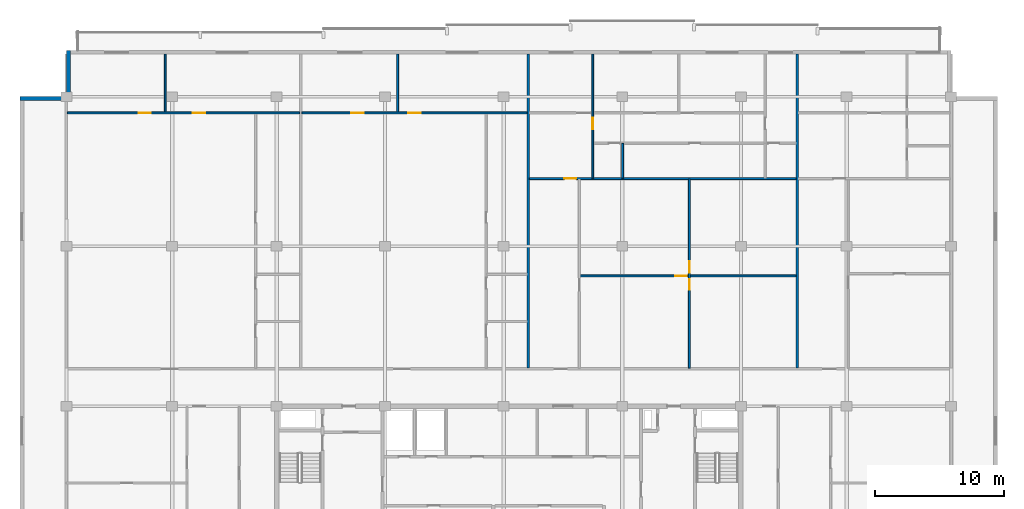
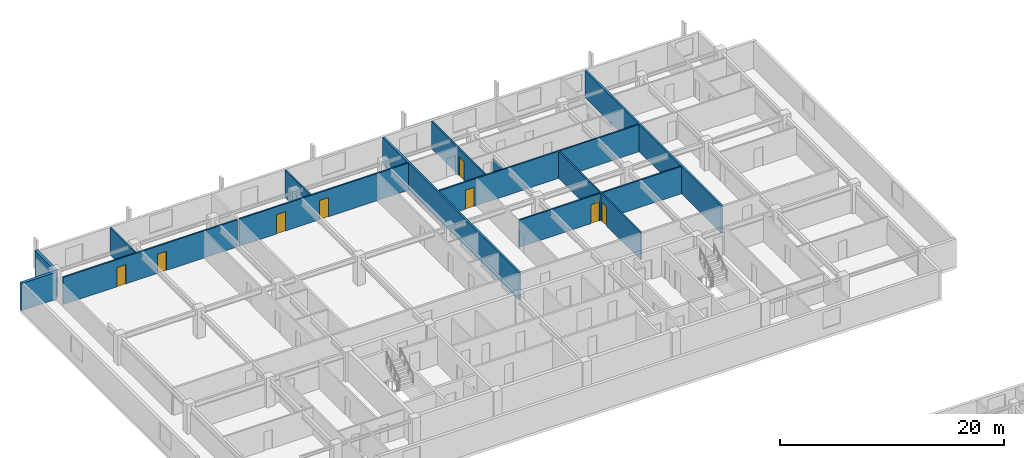
# One storey, part 14 of 22: 13 walls, 9 doors, 9 openings.
"""IFC4 building model written with IfcOpenShell, lengths in metres."""

from ifc_helpers import new_model, si_unit, direction, frame, frame_2d, origin, place, context, subcontext, project, spatial, rectangle, extrude, material, layer, layer_set, type_object, element, fill, save


model = new_model("IFC4")

# Units and contexts
model_context = context("Model", 3, precision=1e-05, world=origin(), true_north=direction((0.0, 1.0)))
body_context = subcontext(model_context, "Body", "Model", "MODEL_VIEW")
ifc_project = project(units=[si_unit("LENGTHUNIT", "METRE"), si_unit("AREAUNIT", "SQUARE_METRE"), si_unit("VOLUMEUNIT", "CUBIC_METRE"), si_unit("PLANEANGLEUNIT", "RADIAN"), si_unit("MASSUNIT", "GRAM", prefix="KILO")], contexts=[model_context])

# Site, building, storey
site_placement = place(None, origin())
site = spatial("IfcSite", under=ifc_project, at=site_placement, CompositionType="ELEMENT")
building_placement = place(site_placement, origin())
building = spatial("IfcBuilding", under=site, at=building_placement, Name="Korimba Cascade Residences", CompositionType="ELEMENT")
storey_placement = place(building_placement, frame((0.0, 0.0, 197.85009765625)))
storey = spatial("IfcBuildingStorey", under=building, at=storey_placement, Name="L57", CompositionType="ELEMENT", Elevation=197.85009765625)

# Walls
ifc_material_1 = material(Name="Precast concrete C40/50", Category="concrete")
ifc_layer_1 = layer(ifc_material_1, 0.300048828125)
ifc_layer_set_1 = layer_set([ifc_layer_1], Name="Precast concrete C40/50")
wall_type_1 = type_object("IfcWallType", Name="EW-STONE-300", PredefinedType="STANDARD", material=ifc_layer_set_1)
for number, where, z_axis, x_axis, name in (
    (1, (59.949951171875, 94.800048828125, 0.0), (0.0, 0.0, 1.0), (0.0, -1.0, 0.0), "L57 T1 Perimeter Stone Wall E07"),
    (2, (59.800048828125, 91.050048828125, 0.0), (0.0, 0.0, 1.0), (-1.0, 0.0, 0.0), "L57 T1 Perimeter Stone Wall E08"),
):
    element("IfcWall", number, at=place(storey_placement, frame(where, z_axis=z_axis, x_axis=x_axis)), inside=storey, type_object=wall_type_1, Name=name, PredefinedType="STANDARD", context=body_context, shape_type="SweptSolid", body=[
        extrude(rectangle(XDim=3.60009765625, YDim=0.300048828125, at=frame_2d((1.800048828125, 0.0))), origin(), (0.0, 0.0, 1.0), 2.969970703125),
    ])
ifc_layer_2 = layer(ifc_material_1, 0.199951171875)
ifc_layer_set_2 = layer_set([ifc_layer_2], Name="Precast concrete C40/50")
wall_type_2 = type_object("IfcWallType", Name="WAL-IT-200", PredefinedType="PARTITIONING", material=ifc_layer_set_2)
for number, where, z_axis, x_axis, name in (
    (3, (95.611328125, 70.179931640625, 0.0), (0.0, 0.0, 1.0), (0.0, 1.0, 0.0), "L57 Partition Wall WAL-L57-T1-DEM-2"),
    (4, (116.452392578125, 70.179931640625, 0.0), (0.0, 0.0, 1.0), (0.0, 1.0, 0.0), "L57 Partition Wall WAL-L57-T1-DEM-3"),
):
    element("IfcWall", number, at=place(storey_placement, frame(where, z_axis=z_axis, x_axis=x_axis)), inside=storey, type_object=wall_type_2, Name=name, PredefinedType="PARTITIONING", context=body_context, shape_type="SweptSolid", body=[
        extrude(rectangle(XDim=24.320068359375, YDim=0.199951171875, at=frame_2d((12.16015625, 0.0))), origin(), (0.0, 0.0, 1.0), 2.969970703125),
    ])
ifc_material_2 = material(Name="Insulated Acoustic Stud Partition", Category="gypsum")
ifc_layer_3 = layer(ifc_material_2, 0.14990234375)
ifc_layer_set_3 = layer_set([ifc_layer_3], Name="Insulated Acoustic Stud Partition")
wall_type_3 = type_object("IfcWallType", Name="WAL-PART-150", PredefinedType="PARTITIONING", material=ifc_layer_set_3)
wall_1_placement = place(storey_placement, frame((67.464111328125, 90.030029296875, 0.0), z_axis=(0.0, 0.0, 1.0), x_axis=(0.0, 1.0, 0.0)))
element("IfcWall", 5, at=wall_1_placement, inside=storey, type_object=wall_type_3, Name="L57 Partition Wall WAL-L57-T1-U01-OUTV", PredefinedType="PARTITIONING", context=body_context, shape_type="SweptSolid", body=[
    extrude(rectangle(XDim=4.469970703125, YDim=0.14990234375, at=frame_2d((2.23486328125, 0.0))), origin(), (0.0, 0.0, 1.0), 2.969970703125),
])

# Wall, openings, doors
wall_2_placement = place(storey_placement, frame((59.8798828125, 89.949951171875, 0.0), z_axis=(0.0, 0.0, 1.0), x_axis=(1.0, 0.0, 0.0)))
wall_2 = element("IfcWall", 6, at=wall_2_placement, inside=storey, type_object=wall_type_3, Name="L57 Partition Wall WAL-L57-T1-U01-HZ", PredefinedType="PARTITIONING", context=body_context, shape_type="SweptSolid", body=[
    extrude(rectangle(XDim=18.00830078125, YDim=0.14990234375, at=frame_2d((9.004150390625, 0.0))), origin(), (0.0, 0.0, 1.0), 2.969970703125),
])
opening_1_placement = place(wall_2_placement, frame((5.533935546875, 0.0, 0.0)))
opening_1 = element("IfcOpeningElement", 7, at=opening_1_placement, cuts=wall_2, Name="Opening D-IN0", PredefinedType="OPENING", context=body_context, shape_type="SweptSolid", body=[
    extrude(rectangle(XDim=0.93994140625, YDim=2.10009765625, at=frame_2d((0.469970703125, 1.050048828125))), frame((0.0, 0.0849609375, 0.0), z_axis=(0.0, -1.0, 0.0), x_axis=(1.0, 0.0, 0.0)), (0.0, 0.0, 1.0), 0.169921875),
])
opening_2_placement = place(wall_2_placement, frame((9.725830078125, 0.0, 0.0)))
opening_2 = element("IfcOpeningElement", 8, at=opening_2_placement, cuts=wall_2, Name="Opening D-IN0", PredefinedType="OPENING", context=body_context, shape_type="SweptSolid", body=[
    extrude(rectangle(XDim=0.93994140625, YDim=2.10009765625, at=frame_2d((0.469970703125, 1.050048828125))), frame((0.0, 0.0849609375, 0.0), z_axis=(0.0, -1.0, 0.0), x_axis=(1.0, 0.0, 0.0)), (0.0, 0.0, 1.0), 0.169921875),
])
ifc_material_3 = material(Name="Acoustic Timber Living Archway Door", Category="wood")
door_type_1 = type_object("IfcDoorType", Name="DR-INT-950", OperationType="NOTDEFINED", PredefinedType="DOOR", material=ifc_material_3)
door_1_placement = place(opening_1_placement, origin())
door_1 = element("IfcDoor", 9, at=door_1_placement, inside=storey, type_object=door_type_1, Name="L57-T1-U01 Resident Gourmet Market Door", OperationType="SINGLE_SWING_LEFT", OverallHeight=2.10009765625, OverallWidth=0.93994140625, PredefinedType="DOOR", context=body_context, shape_type="SweptSolid", body=[
    extrude(rectangle(XDim=0.93994140625, YDim=2.10009765625, at=frame_2d((0.469970703125, 1.050048828125))), frame((0.0, 0.02490234375, 0.0), z_axis=(0.0, -1.0, 0.0), x_axis=(1.0, 0.0, 0.0)), (0.0, 0.0, 1.0), 0.050048828125),
])
fill(opening_1, door_1)
door_2_placement = place(opening_2_placement, origin())
door_2 = element("IfcDoor", 10, at=door_2_placement, inside=storey, type_object=door_type_1, Name="L57-T1-U01 Artisan Gallery Boutique Door", OperationType="SINGLE_SWING_RIGHT", OverallHeight=2.10009765625, OverallWidth=0.93994140625, PredefinedType="DOOR", context=body_context, shape_type="SweptSolid", body=[
    extrude(rectangle(XDim=0.93994140625, YDim=2.10009765625, at=frame_2d((0.469970703125, 1.050048828125))), frame((0.0, 0.02490234375, 0.0), z_axis=(0.0, -1.0, 0.0), x_axis=(1.0, 0.0, 0.0)), (0.0, 0.0, 1.0), 0.050048828125),
])
fill(opening_2, door_2)

# Wall
wall_3_placement = place(storey_placement, frame((85.48486328125, 90.030029296875, 0.0), z_axis=(0.0, 0.0, 1.0), x_axis=(0.0, 1.0, 0.0)))
element("IfcWall", 11, at=wall_3_placement, inside=storey, type_object=wall_type_3, Name="L57 Partition Wall WAL-L57-T1-U02-OUTV", PredefinedType="PARTITIONING", context=body_context, shape_type="SweptSolid", body=[
    extrude(rectangle(XDim=4.469970703125, YDim=0.14990234375, at=frame_2d((2.23486328125, 0.0))), origin(), (0.0, 0.0, 1.0), 2.969970703125),
])

# Wall, openings, doors
wall_4_placement = place(storey_placement, frame((78.048095703125, 89.949951171875, 0.0), z_axis=(0.0, 0.0, 1.0), x_axis=(1.0, 0.0, 0.0)))
wall_4 = element("IfcWall", 12, at=wall_4_placement, inside=storey, type_object=wall_type_3, Name="L57 Partition Wall WAL-L57-T1-U02-HZ", PredefinedType="PARTITIONING", context=body_context, shape_type="SweptSolid", body=[
    extrude(rectangle(XDim=17.4833984375, YDim=0.14990234375, at=frame_2d((8.74169921875, 0.0))), origin(), (0.0, 0.0, 1.0), 2.969970703125),
])
opening_3_placement = place(wall_4_placement, frame((3.847900390625, 0.0, 0.0)))
opening_3 = element("IfcOpeningElement", 13, at=opening_3_placement, cuts=wall_4, Name="Opening D-IN0", PredefinedType="OPENING", context=body_context, shape_type="SweptSolid", body=[
    extrude(rectangle(XDim=0.93994140625, YDim=2.10009765625, at=frame_2d((0.469970703125, 1.050048828125))), frame((0.0, 0.0849609375, 0.0), z_axis=(0.0, -1.0, 0.0), x_axis=(1.0, 0.0, 0.0)), (0.0, 0.0, 1.0), 0.169921875),
])
opening_4_placement = place(wall_4_placement, frame((8.271484375, 0.0, 0.0)))
opening_4 = element("IfcOpeningElement", 14, at=opening_4_placement, cuts=wall_4, Name="Opening D-IN0", PredefinedType="OPENING", context=body_context, shape_type="SweptSolid", body=[
    extrude(rectangle(XDim=0.93994140625, YDim=2.10009765625, at=frame_2d((0.469970703125, 1.050048828125))), frame((0.0, 0.0849609375, 0.0), z_axis=(0.0, -1.0, 0.0), x_axis=(1.0, 0.0, 0.0)), (0.0, 0.0, 1.0), 0.169921875),
])
door_3_placement = place(opening_3_placement, origin())
door_3 = element("IfcDoor", 15, at=door_3_placement, inside=storey, type_object=door_type_1, Name="L57-T1-U02 Fitness Pilates Gym Door", OperationType="SINGLE_SWING_RIGHT", OverallHeight=2.10009765625, OverallWidth=0.93994140625, PredefinedType="DOOR", context=body_context, shape_type="SweptSolid", body=[
    extrude(rectangle(XDim=0.93994140625, YDim=2.10009765625, at=frame_2d((0.469970703125, 1.050048828125))), frame((0.0, 0.02490234375, 0.0), z_axis=(0.0, -1.0, 0.0), x_axis=(1.0, 0.0, 0.0)), (0.0, 0.0, 1.0), 0.050048828125),
])
fill(opening_3, door_3)
door_4_placement = place(opening_4_placement, origin())
door_4 = element("IfcDoor", 16, at=door_4_placement, inside=storey, type_object=door_type_1, Name="L57-T1-U02 Private Screening Cinema Door", OperationType="SINGLE_SWING_LEFT", OverallHeight=2.10009765625, OverallWidth=0.93994140625, PredefinedType="DOOR", context=body_context, shape_type="SweptSolid", body=[
    extrude(rectangle(XDim=0.93994140625, YDim=2.10009765625, at=frame_2d((0.469970703125, 1.050048828125))), frame((0.0, 0.02490234375, 0.0), z_axis=(0.0, -1.0, 0.0), x_axis=(1.0, 0.0, 0.0)), (0.0, 0.0, 1.0), 0.050048828125),
])
fill(opening_4, door_4)

wall_5_placement = place(storey_placement, frame((108.106689453125, 70.159912109375, 0.0), z_axis=(0.0, 0.0, 1.0), x_axis=(0.0, 1.0, 0.0)))
wall_5 = element("IfcWall", 17, at=wall_5_placement, inside=storey, type_object=wall_type_3, Name="L57 Partition Wall WAL-L57-T1-U03-FMV", PredefinedType="PARTITIONING", context=body_context, shape_type="SweptSolid", body=[
    extrude(rectangle(XDim=14.650146484375, YDim=0.14990234375, at=frame_2d((7.3251953125, 0.0))), origin(), (0.0, 0.0, 1.0), 2.969970703125),
])
opening_5_placement = place(wall_5_placement, frame((6.054931640625, 0.0, 0.0)))
opening_5 = element("IfcOpeningElement", 18, at=opening_5_placement, cuts=wall_5, Name="Opening D-BT1", PredefinedType="OPENING", context=body_context, shape_type="SweptSolid", body=[
    extrude(rectangle(XDim=0.840087890625, YDim=2.0400390625, at=frame_2d((0.419921875, 1.02001953125))), frame((0.0, 0.0849609375, 0.0), z_axis=(0.0, -1.0, 0.0), x_axis=(1.0, 0.0, 0.0)), (0.0, 0.0, 1.0), 0.169921875),
])
opening_6_placement = place(wall_5_placement, frame((7.39501953125, 0.0, 0.0)))
opening_6 = element("IfcOpeningElement", 19, at=opening_6_placement, cuts=wall_5, Name="Opening D-IN2", PredefinedType="OPENING", context=body_context, shape_type="SweptSolid", body=[
    extrude(rectangle(XDim=0.8798828125, YDim=2.06005859375, at=frame_2d((0.43994140625, 1.030029296875))), frame((0.0, 0.0849609375, 0.0), z_axis=(0.0, -1.0, 0.0), x_axis=(1.0, 0.0, 0.0)), (0.0, 0.0, 1.0), 0.169921875),
])
ifc_material_4 = material(Name="Moisture-Resistant Bathroom Timber Door", Category="wood")
door_type_2 = type_object("IfcDoorType", Name="DR-INT-850", OperationType="NOTDEFINED", PredefinedType="DOOR", material=ifc_material_4)
door_5_placement = place(opening_5_placement, origin())
door_5 = element("IfcDoor", 20, at=door_5_placement, inside=storey, type_object=door_type_2, Name="L57-T1-U03 Wardrobe Door", OperationType="SINGLE_SWING_RIGHT", OverallHeight=2.0400390625, OverallWidth=0.840087890625, PredefinedType="DOOR", context=body_context, shape_type="SweptSolid", body=[
    extrude(rectangle(XDim=0.840087890625, YDim=2.0400390625, at=frame_2d((0.419921875, 1.02001953125))), frame((0.0, 0.02490234375, 0.0), z_axis=(0.0, -1.0, 0.0), x_axis=(1.0, 0.0, 0.0)), (0.0, 0.0, 1.0), 0.050048828125),
])
fill(opening_5, door_5)
ifc_material_5 = material(Name="Acoustic Timber Bedroom Door", Category="wood")
door_type_3 = type_object("IfcDoorType", Name="DR-INT-880", OperationType="NOTDEFINED", PredefinedType="DOOR", material=ifc_material_5)
door_6_placement = place(opening_6_placement, origin())
door_6 = element("IfcDoor", 21, at=door_6_placement, inside=storey, type_object=door_type_3, Name="L57-T1-U03 Music Lounge Door", OperationType="SINGLE_SWING_LEFT", OverallHeight=2.06005859375, OverallWidth=0.8798828125, PredefinedType="DOOR", context=body_context, shape_type="SweptSolid", body=[
    extrude(rectangle(XDim=0.8798828125, YDim=2.06005859375, at=frame_2d((0.43994140625, 1.030029296875))), frame((0.0, 0.02490234375, 0.0), z_axis=(0.0, -1.0, 0.0), x_axis=(1.0, 0.0, 0.0)), (0.0, 0.0, 1.0), 0.050048828125),
])
fill(opening_6, door_6)

# Wall, opening, door
wall_6_placement = place(storey_placement, frame((99.641357421875, 77.304931640625, 0.0), z_axis=(0.0, 0.0, 1.0), x_axis=(1.0, 0.0, 0.0)))
wall_6 = element("IfcWall", 22, at=wall_6_placement, inside=storey, type_object=wall_type_3, Name="L57 Partition Wall WAL-L57-T1-U03-FMH", PredefinedType="PARTITIONING", context=body_context, shape_type="SweptSolid", body=[
    extrude(rectangle(XDim=16.73095703125, YDim=0.14990234375, at=frame_2d((8.365478515625, 0.0))), origin(), (0.0, 0.0, 1.0), 2.969970703125),
])
opening_7_placement = place(wall_6_placement, frame((7.365478515625, 0.0, 0.0)))
opening_7 = element("IfcOpeningElement", 23, at=opening_7_placement, cuts=wall_6, Name="Opening D-IN2", PredefinedType="OPENING", context=body_context, shape_type="SweptSolid", body=[
    extrude(rectangle(XDim=0.8798828125, YDim=2.06005859375, at=frame_2d((0.43994140625, 1.030029296875))), frame((0.0, 0.0849609375, 0.0), z_axis=(0.0, -1.0, 0.0), x_axis=(1.0, 0.0, 0.0)), (0.0, 0.0, 1.0), 0.169921875),
])
door_7_placement = place(opening_7_placement, origin())
door_7 = element("IfcDoor", 24, at=door_7_placement, inside=storey, type_object=door_type_3, Name="L57-T1-U03 Library Salon Door", OperationType="SINGLE_SWING_RIGHT", OverallHeight=2.06005859375, OverallWidth=0.8798828125, PredefinedType="DOOR", context=body_context, shape_type="SweptSolid", body=[
    extrude(rectangle(XDim=0.8798828125, YDim=2.06005859375, at=frame_2d((0.43994140625, 1.030029296875))), frame((0.0, 0.02490234375, 0.0), z_axis=(0.0, -1.0, 0.0), x_axis=(1.0, 0.0, 0.0)), (0.0, 0.0, 1.0), 0.050048828125),
])
fill(opening_7, door_7)

# Wall
wall_7_placement = place(storey_placement, frame((102.92138671875, 84.889892578125, 0.0), z_axis=(0.0, 0.0, 1.0), x_axis=(0.0, 1.0, 0.0)))
element("IfcWall", 25, at=wall_7_placement, inside=storey, type_object=wall_type_3, Name="L57 Partition Wall WAL-L57-T1-U03-VDRS", PredefinedType="PARTITIONING", context=body_context, shape_type="SweptSolid", body=[
    extrude(rectangle(XDim=2.690185546875, YDim=0.14990234375, at=frame_2d((1.34521484375, 0.0))), origin(), (0.0, 0.0, 1.0), 2.277099609375),
])

# Wall, opening, door
wall_8_placement = place(storey_placement, frame((100.611328125, 84.889892578125, 0.0), z_axis=(0.0, 0.0, 1.0), x_axis=(0.0, 1.0, 0.0)))
wall_8 = element("IfcWall", 26, at=wall_8_placement, inside=storey, type_object=wall_type_3, Name="L57 Partition Wall WAL-L57-T1-U03-V1", PredefinedType="PARTITIONING", context=body_context, shape_type="SweptSolid", body=[
    extrude(rectangle(XDim=9.610107421875, YDim=0.14990234375, at=frame_2d((4.80517578125, 0.0))), origin(), (0.0, 0.0, 1.0), 2.969970703125),
])
opening_8_placement = place(wall_8_placement, frame((3.770263671875, 0.0, 0.0)))
opening_8 = element("IfcOpeningElement", 27, at=opening_8_placement, cuts=wall_8, Name="Opening D-IN1", PredefinedType="OPENING", context=body_context, shape_type="SweptSolid", body=[
    extrude(rectangle(XDim=0.919921875, YDim=2.080078125, at=frame_2d((0.4599609375, 1.0400390625))), frame((0.0, 0.0849609375, 0.0), z_axis=(0.0, -1.0, 0.0), x_axis=(1.0, 0.0, 0.0)), (0.0, 0.0, 1.0), 0.169921875),
])
ifc_material_6 = material(Name="Acoustic Timber Living Door", Category="wood")
door_type_4 = type_object("IfcDoorType", Name="DR-INT-920", OperationType="NOTDEFINED", PredefinedType="DOOR", material=ifc_material_6)
door_8_placement = place(opening_8_placement, origin())
door_8 = element("IfcDoor", 28, at=door_8_placement, inside=storey, type_object=door_type_4, Name="L57-T1-U03 Hallway Door", OperationType="SINGLE_SWING_RIGHT", OverallHeight=2.080078125, OverallWidth=0.919921875, PredefinedType="DOOR", context=body_context, shape_type="SweptSolid", body=[
    extrude(rectangle(XDim=0.919921875, YDim=2.080078125, at=frame_2d((0.4599609375, 1.0400390625))), frame((0.0, 0.02490234375, 0.0), z_axis=(0.0, -1.0, 0.0), x_axis=(1.0, 0.0, 0.0)), (0.0, 0.0, 1.0), 0.050048828125),
])
fill(opening_8, door_8)

wall_9_placement = place(storey_placement, frame((95.69140625, 84.85009765625, 0.0), z_axis=(0.0, 0.0, 1.0), x_axis=(1.0, 0.0, 0.0)))
wall_9 = element("IfcWall", 29, at=wall_9_placement, inside=storey, type_object=wall_type_3, Name="L57 Partition Wall WAL-L57-T1-U03-MW", PredefinedType="PARTITIONING", context=body_context, shape_type="SweptSolid", body=[
    extrude(rectangle(XDim=20.680908203125, YDim=0.14990234375, at=frame_2d((10.34033203125, 0.0))), origin(), (0.0, 0.0, 1.0), 2.969970703125),
])
opening_9_placement = place(wall_9_placement, frame((2.719970703125, 0.0, 0.0)))
opening_9 = element("IfcOpeningElement", 30, at=opening_9_placement, cuts=wall_9, Name="Opening D-IN1", PredefinedType="OPENING", context=body_context, shape_type="SweptSolid", body=[
    extrude(rectangle(XDim=0.919921875, YDim=2.080078125, at=frame_2d((0.4599609375, 1.0400390625))), frame((0.0, 0.0849609375, 0.0), z_axis=(0.0, -1.0, 0.0), x_axis=(1.0, 0.0, 0.0)), (0.0, 0.0, 1.0), 0.169921875),
])
door_9_placement = place(opening_9_placement, origin())
door_9 = element("IfcDoor", 31, at=door_9_placement, inside=storey, type_object=door_type_4, Name="L57-T1-U03 Kitchen Door", OperationType="SINGLE_SWING_LEFT", OverallHeight=2.080078125, OverallWidth=0.919921875, PredefinedType="DOOR", context=body_context, shape_type="SweptSolid", body=[
    extrude(rectangle(XDim=0.919921875, YDim=2.080078125, at=frame_2d((0.4599609375, 1.0400390625))), frame((0.0, 0.02490234375, 0.0), z_axis=(0.0, -1.0, 0.0), x_axis=(1.0, 0.0, 0.0)), (0.0, 0.0, 1.0), 0.050048828125),
])
fill(opening_9, door_9)

save(model, "model.ifc")
